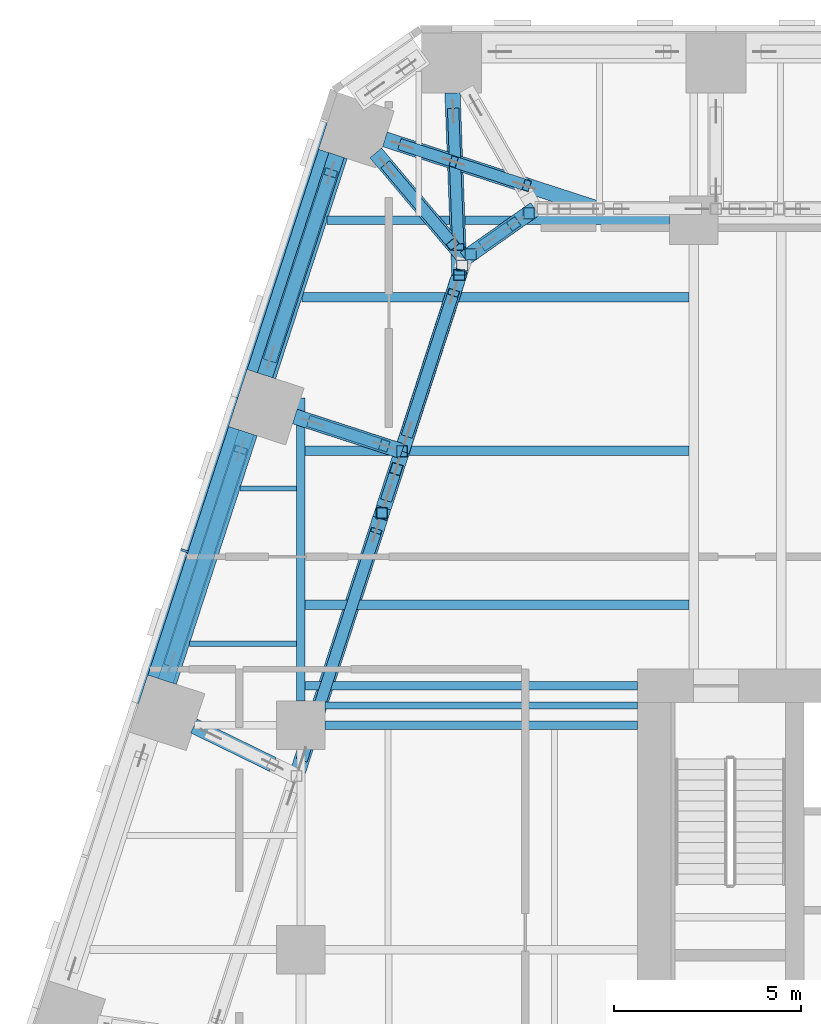
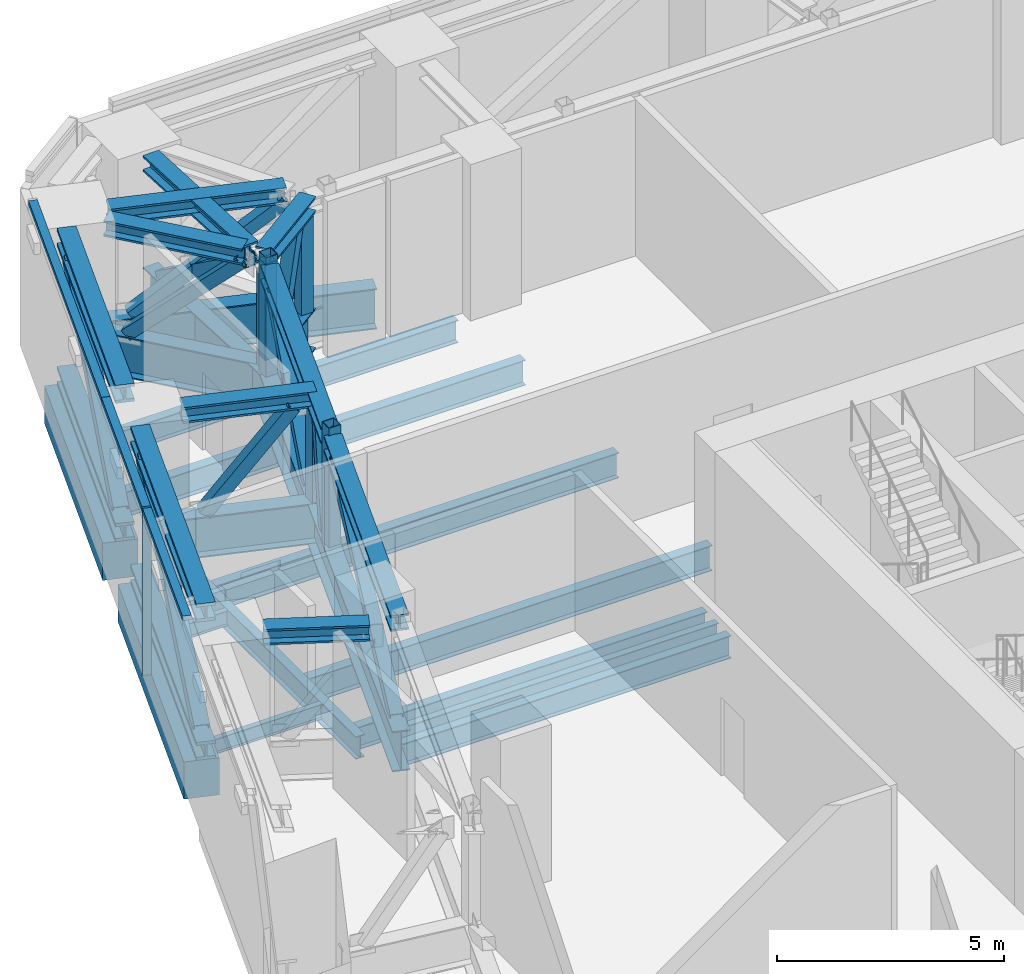
# One storey, part 11 of 36: 40 members, 12 beams, 1 element without a shape of its own.
"""IFC4 building model written with IfcOpenShell, lengths in metres."""

import ifcopenshell
import ifcopenshell.guid

model = None  # the IFC model being written
_history = None  # IfcOwnerHistory: only IFC2X3 demands one
_inside = {}  # id of a spatial element -> (the spatial element, [elements in it])
_under = {}  # id of a project, library or spatial element -> (it, [spatial elements below it])
_declared = {}  # id of a project -> (the project, [libraries it declares])
_typed = {}  # id of a type object -> (the type object, [elements of that type])
_made_of = {}  # id of a material, layer set ... -> (it, [elements and type objects made of it])


def new_model(schema):
    """Start an empty IFC model of exactly this schema.

    Asked for "IFC4X3", IfcOpenShell would pick the latest addendum, in which some entities
    have other attributes; the version numbers below select the first issue.
    IFC2X3 requires an IfcOwnerHistory on every rooted entity: one is made here for all.
    """
    global model, _history
    if schema == "IFC4X3":
        model = ifcopenshell.file(schema_version=(4, 3, 0, 0))
    else:
        model = ifcopenshell.file(schema=schema)
    _inside.clear()
    _under.clear()
    _declared.clear()
    _typed.clear()
    _made_of.clear()
    _history = None
    if model.schema == "IFC2X3":
        org = make("IfcOrganization", Name="unknown")
        user = make(
            "IfcPersonAndOrganization",
            ThePerson=make("IfcPerson", FamilyName="unknown"),
            TheOrganization=org,
        )
        app = make(
            "IfcApplication",
            ApplicationDeveloper=org,
            Version="unknown",
            ApplicationFullName="unknown",
            ApplicationIdentifier="unknown",
        )
        _history = make(
            "IfcOwnerHistory",
            OwningUser=user,
            OwningApplication=app,
            ChangeAction="ADDED",
            CreationDate=0,
        )
    return model


def make(cls, **values):
    """One entity of the class cls with the attributes given. An attribute that is None is left unset."""
    return model.create_entity(
        cls, **{name: value for name, value in values.items() if value is not None}
    )


def rooted(cls, **values):
    """An entity with a GlobalId (a new one), such as an element, a storey or a relation."""
    return make(cls, GlobalId=ifcopenshell.guid.new(), OwnerHistory=_history, **values)


def si_unit(unit_type, name, prefix=None):
    """IfcSIUnit, for example si_unit("LENGTHUNIT", "METRE", prefix="MILLI")."""
    return make("IfcSIUnit", UnitType=unit_type, Prefix=prefix, Name=name)


def assignment(units):
    """IfcUnitAssignment: the units of a project."""
    return None if units is None else make("IfcUnitAssignment", Units=units)


def point(xyz):
    """IfcCartesianPoint."""
    return None if xyz is None else make("IfcCartesianPoint", Coordinates=xyz)


def direction(xyz):
    """IfcDirection."""
    return None if xyz is None else make("IfcDirection", DirectionRatios=xyz)


def frame(location, z_axis=None, x_axis=None):
    """IfcAxis2Placement3D, a coordinate frame: its origin and axes. An axis left out is left unset."""
    return make(
        "IfcAxis2Placement3D",
        Location=point(location),
        Axis=direction(z_axis),
        RefDirection=direction(x_axis),
    )


def frame_2d(location, x_axis=None):
    """IfcAxis2Placement2D, a coordinate frame in the plane: its origin and x axis."""
    return make(
        "IfcAxis2Placement2D", Location=point(location), RefDirection=direction(x_axis)
    )


def origin():
    """The frame at (0, 0, 0) with its axes left unset."""
    return frame((0.0, 0.0, 0.0))


def origin_2d():
    """The frame at (0, 0) in the plane with its x axis left unset."""
    return frame_2d((0.0, 0.0))


def place(relative_to, where):
    """IfcLocalPlacement: puts the frame where relative to a parent placement (None: the world)."""
    return make(
        "IfcLocalPlacement", PlacementRelTo=relative_to, RelativePlacement=where
    )


def context(
    kind, dimensions, precision=None, world=None, true_north=None, identifier=None
):
    """IfcGeometricRepresentationContext, for example the 3D "Model" context."""
    return make(
        "IfcGeometricRepresentationContext",
        ContextIdentifier=identifier,
        ContextType=kind,
        CoordinateSpaceDimension=dimensions,
        Precision=precision,
        WorldCoordinateSystem=world,
        TrueNorth=true_north,
    )


def subcontext(parent, identifier, kind, view, scale=None):
    """IfcGeometricRepresentationSubContext, for example "Body" below "Model"."""
    return make(
        "IfcGeometricRepresentationSubContext",
        ContextIdentifier=identifier,
        ContextType=kind,
        ParentContext=parent,
        TargetScale=scale,
        TargetView=view,
    )


def project(units=None, contexts=None):
    """IfcProject with its units and contexts."""
    return rooted(
        "IfcProject",
        Name="project",
        RepresentationContexts=contexts,
        UnitsInContext=assignment(units),
    )


def spatial(cls, under=None, at=None, **own):
    """A site, building, storey or space (cls), placed at a placement, below another one or the project."""
    s = rooted(cls, ObjectPlacement=at, **own)
    if under is not None:
        _under.setdefault(under.id(), (under, []))[1].append(s)
    return s


def profile(cls, at=None, kind="AREA", **sizes):
    """A parametric profile (cls). Its sizes go by their IFC names, for example OverallWidth=200.0."""
    return make(cls, ProfileType=kind, Position=at, **sizes)


def rectangle(**sizes):
    """IfcRectangleProfileDef."""
    return profile("IfcRectangleProfileDef", **sizes)


def hollow_rectangle(**sizes):
    """IfcRectangleHollowProfileDef."""
    return profile("IfcRectangleHollowProfileDef", **sizes)


def i_section(**sizes):
    """IfcIShapeProfileDef."""
    return profile("IfcIShapeProfileDef", **sizes)


def extrude(swept, where, along, depth):
    """IfcExtrudedAreaSolid: the profile swept, set in the frame where, extruded along a direction by depth."""
    return make(
        "IfcExtrudedAreaSolid",
        SweptArea=swept,
        Position=where,
        ExtrudedDirection=direction(along),
        Depth=depth,
    )


def shape(context_of_items, identifier, shape_type, items):
    """IfcShapeRepresentation: the items that make up one representation, for example the "Body"."""
    return make(
        "IfcShapeRepresentation",
        ContextOfItems=context_of_items,
        RepresentationIdentifier=identifier,
        RepresentationType=shape_type,
        Items=items,
    )


def material(Name=None, Category=None):
    """IfcMaterial."""
    return make("IfcMaterial", Name=Name, Category=Category)


def layer(
    of_material, thickness, ventilated=None, Name=None, Category=None, Priority=None
):
    """IfcMaterialLayer: one layer of a wall or slab, of a material (None: an air gap)."""
    return make(
        "IfcMaterialLayer",
        Material=of_material,
        LayerThickness=thickness,
        IsVentilated=ventilated,
        Name=Name,
        Category=Category,
        Priority=Priority,
    )


def layer_set(layers, Name=None):
    """IfcMaterialLayerSet."""
    return make("IfcMaterialLayerSet", MaterialLayers=layers, LayerSetName=Name)


def material_profile(
    of_material, cross_section, Name=None, Category=None, Priority=None
):
    """IfcMaterialProfile: a cross section and its material."""
    return make(
        "IfcMaterialProfile",
        Name=Name,
        Material=of_material,
        Profile=cross_section,
        Priority=Priority,
        Category=Category,
    )


def profile_set(profiles, Name=None, composite=None):
    """IfcMaterialProfileSet."""
    return make(
        "IfcMaterialProfileSet",
        Name=Name,
        MaterialProfiles=profiles,
        CompositeProfile=composite,
    )


def made_of(thing, what):
    """Note that an element or type object is made of a material, layer set ...; save() writes the relation."""
    if what is not None:
        _made_of.setdefault(what.id(), (what, []))[1].append(thing)
    return thing


def type_object(cls, material=None, **own):
    """A type object (cls), such as IfcWallType, which elements share."""
    return made_of(rooted(cls, **own), material)


def element(
    cls,
    number,
    at=None,
    inside=None,
    cuts=None,
    type_object=None,
    material=None,
    context=None,
    identifier="Body",
    shape_type=None,
    held_by="IfcProductDefinitionShape",
    body=None,
    shapes=None,
    **own,
):
    """One element of the class cls, such as IfcWall. Its Tag is "e" and its number.

    at: its placement. inside: the storey or other place that contains it. cuts: it is an
    opening in that element (IfcRelVoidsElement). A single representation is given by context,
    identifier, shape_type and body (its items); several are given by shapes. held_by: the class
    of the entity that holds the representations. save() writes the other relations.
    """
    e = rooted(cls, Tag="e%d" % number, ObjectPlacement=at, **own)
    if body is not None:
        shapes = [shape(context, identifier, shape_type, body)]
    if shapes is not None:
        e.Representation = make(held_by, Representations=shapes)
    if inside is not None:
        _inside.setdefault(inside.id(), (inside, []))[1].append(e)
    if cuts is not None:
        rooted(
            "IfcRelVoidsElement", RelatingBuildingElement=cuts, RelatedOpeningElement=e
        )
    if type_object is not None:
        _typed.setdefault(type_object.id(), (type_object, []))[1].append(e)
    return made_of(e, material)


def aggregate(whole, parts):
    """IfcRelAggregates: a whole, such as a stair, and the parts it consists of."""
    return rooted("IfcRelAggregates", RelatingObject=whole, RelatedObjects=parts)


def save(model, path):
    """Write the relations noted so far, then the file.

    IfcRelAggregates (storeys below a building ...), IfcRelContainedInSpatialStructure (elements
    in a storey), IfcRelDefinesByType, IfcRelAssociatesMaterial and IfcRelDeclares: one each for
    every whole, place, type object, material and project.
    """
    for whole, parts in _under.values():
        aggregate(whole, parts)
    for where, things in _inside.values():
        rooted(
            "IfcRelContainedInSpatialStructure",
            RelatedElements=things,
            RelatingStructure=where,
        )
    for kind, things in _typed.values():
        rooted("IfcRelDefinesByType", RelatedObjects=things, RelatingType=kind)
    for what, things in _made_of.values():
        rooted("IfcRelAssociatesMaterial", RelatedObjects=things, RelatingMaterial=what)
    for by, libraries in _declared.values():
        rooted("IfcRelDeclares", RelatingContext=by, RelatedDefinitions=libraries)
    model.write(path)


model = new_model("IFC4")

# Units and contexts
model_context = context("Model", 3, precision=1e-05, world=origin(), true_north=direction((0.0, 1.0)))
body_context = subcontext(model_context, "Body", "Model", "MODEL_VIEW")
ifc_project = project(units=[si_unit("LENGTHUNIT", "METRE"), si_unit("AREAUNIT", "SQUARE_METRE"), si_unit("VOLUMEUNIT", "CUBIC_METRE"), si_unit("PLANEANGLEUNIT", "RADIAN"), si_unit("MASSUNIT", "GRAM", prefix="KILO")], contexts=[model_context])

# Site, building, storey
site_placement = place(None, origin())
site = spatial("IfcSite", under=ifc_project, at=site_placement, CompositionType="ELEMENT")
building_placement = place(site_placement, origin())
building = spatial("IfcBuilding", under=site, at=building_placement, Name="Isthmus Gate Tower", CompositionType="ELEMENT")
storey_placement = place(building_placement, frame((0.0, 0.0, 117.14990234375)))
storey = spatial("IfcBuildingStorey", under=building, at=storey_placement, Name="L28", CompositionType="ELEMENT", Elevation=117.14990234375)

# Members
ifc_material_1 = material(Name="Structural steel ASTM A913 Gr 65", Category="steel")
ifc_material_profile_1 = material_profile(ifc_material_1, i_section(OverallWidth=0.4287109375, OverallDepth=0.482666015625, WebThickness=0.05078125, FlangeThickness=0.0810546875, at=origin_2d()), Name="W14X455")
ifc_profile_set_1 = profile_set([ifc_material_profile_1], Name="Structural steel ASTM A913 Gr 65")
member_type_1 = type_object("IfcMemberType", Name="BELT TRUSS CHORD W14X455", PredefinedType="CHORD", material=ifc_profile_set_1)
for number, where, z_axis, x_axis, name in (
    (1, (-27.614990234375, 14.683349609375, 0.241455078125), (0.309029993465, 0.951052292537, 0.0), (-0.951052292537, 0.309029993465, 0.0), "str-belt20-L28-01"),
    (2, (-27.614990234375, 14.683349609375, 3.958740234375), (0.309029993465, 0.951052292537, 0.0), (-0.951052292537, 0.309029993465, 0.0), "str-belt20-L28-02"),
):
    element("IfcMember", number, at=place(storey_placement, frame(where, z_axis=z_axis, x_axis=x_axis)), inside=storey, type_object=member_type_1, Name=name, PredefinedType="CHORD", context=body_context, shape_type="SweptSolid", body=[
        extrude(i_section(OverallWidth=0.4287109375, OverallDepth=0.482666015625, WebThickness=0.05078125, FlangeThickness=0.0810546875, at=origin_2d()), origin(), (0.0, 0.0, 1.0), 6.9892578125),
    ])
for number, where, z_axis, x_axis, name in (
    (3, (-24.960693359375, 22.852294921875, 0.241455078125), (0.309012042366, 0.951058125286, 0.0), (-0.951058125286, 0.309012042366, 0.0), "str-belt21-L28-01"),
    (4, (-24.960693359375, 22.852294921875, 3.958740234375), (0.309012042366, 0.951058125286, 0.0), (-0.951058125286, 0.309012042366, 0.0), "str-belt21-L28-02"),
):
    element("IfcMember", number, at=place(storey_placement, frame(where, z_axis=z_axis, x_axis=x_axis)), inside=storey, type_object=member_type_1, Name=name, PredefinedType="CHORD", context=body_context, shape_type="SweptSolid", body=[
        extrude(i_section(OverallWidth=0.4287109375, OverallDepth=0.482666015625, WebThickness=0.05078125, FlangeThickness=0.0810546875, at=origin_2d()), origin(), (0.0, 0.0, 1.0), 6.189453125),
    ])

# Curtain wall, members
ifc_material_2 = material(Name="Aluminium, pale champagne anodised", Category="aluminium")
ifc_layer = layer(ifc_material_2, 0.199951171875)
ifc_layer_set = layer_set([ifc_layer], Name="CW-2 LOUVRE CURTAIN WALL 200 DEEP")
curtain_wall_type = type_object("IfcCurtainWallType", Name="CW-2 LOUVRE CURTAIN WALL 200 DEEP", PredefinedType="NOTDEFINED", material=ifc_layer_set)
curtain_wall_placement = place(storey_placement, origin())
curtain_wall = element("IfcCurtainWall", 5, at=curtain_wall_placement, inside=storey, type_object=curtain_wall_type, Name="CW-2 NW L28", PredefinedType="NOTDEFINED")
ifc_material_3 = material(Name="Aluminium, pale champagne anodised", Category="aluminium")
ifc_material_profile_2 = material_profile(ifc_material_3, rectangle(XDim=0.06005859375, YDim=0.199951171875, at=origin_2d()), Name="60x200")
ifc_profile_set_2 = profile_set([ifc_material_profile_2], Name="Aluminium, pale champagne anodised")
member_type_2 = type_object("IfcMemberType", Name="CW-2 MULLION 60 X 200", PredefinedType="MULLION", material=ifc_profile_set_2)
member_1_placement = place(storey_placement, frame((-27.11474609375, 18.163818359375, 0.0), z_axis=(0.0, 0.0, 1.0), x_axis=(-0.309016994375, -0.951056516295, 0.0)))
member_1 = element("IfcMember", 6, at=member_1_placement, type_object=member_type_2, Name="CW-2 mullion", PredefinedType="MULLION", context=body_context, shape_type="SweptSolid", body=[
    extrude(rectangle(XDim=0.06005859375, YDim=0.199951171875, at=origin_2d()), origin(), (0.0, 0.0, 1.0), 4.5),
])
ifc_material_4 = material(Name="Aluminium, pale champagne anodised", Category="aluminium")
ifc_material_profile_3 = material_profile(ifc_material_4, rectangle(XDim=0.199951171875, YDim=0.1201171875, at=origin_2d()), Name="200x120")
ifc_profile_set_3 = profile_set([ifc_material_profile_3], Name="Aluminium, pale champagne anodised")
member_type_3 = type_object("IfcMemberType", Name="CW-2 TRANSOM 200 X 120", PredefinedType="USERDEFINED", material=ifc_profile_set_3)
member_2_placement = place(storey_placement, frame((-23.389892578125, 29.6279296875, 4.440185546875), z_axis=(-0.309036077329, -0.951050315656, 0.0), x_axis=(0.951050315656, -0.309036077329, 0.0)))
member_2 = element("IfcMember", 7, at=member_2_placement, type_object=member_type_3, Name="CW-2 transom", ObjectType="TRANSOM", PredefinedType="USERDEFINED", context=body_context, shape_type="SweptSolid", body=[
    extrude(rectangle(XDim=0.199951171875, YDim=0.1201171875, at=origin_2d()), origin(), (0.0, 0.0, 1.0), 7.7294921875),
])
member_3_placement = place(storey_placement, frame((-25.778564453125, 22.27685546875, 4.440185546875), z_axis=(-0.309021801109, -0.951054954479, 0.0), x_axis=(0.951054954479, -0.309021801109, 0.0)))
member_3 = element("IfcMember", 8, at=member_3_placement, type_object=member_type_3, Name="CW-2 transom", ObjectType="TRANSOM", PredefinedType="USERDEFINED", context=body_context, shape_type="SweptSolid", body=[
    extrude(rectangle(XDim=0.199951171875, YDim=0.1201171875, at=origin_2d()), origin(), (0.0, 0.0, 1.0), 4.294677734375),
])
member_4_placement = place(storey_placement, frame((-27.1240234375, 18.13525390625, 4.440185546875), z_axis=(-0.309023496777, -0.951054403512, 0.0), x_axis=(0.951054403512, -0.309023496777, 0.0)))
member_4 = element("IfcMember", 9, at=member_4_placement, type_object=member_type_3, Name="CW-2 transom", ObjectType="TRANSOM", PredefinedType="USERDEFINED", context=body_context, shape_type="SweptSolid", body=[
    extrude(rectangle(XDim=0.199951171875, YDim=0.1201171875, at=origin_2d()), origin(), (0.0, 0.0, 1.0), 4.234619140625),
])
aggregate(curtain_wall, [member_2, member_3, member_1, member_4])

# Beams
ifc_material_5 = material(Name="Concrete f'c 70 MPa", Category="concrete")
ifc_material_profile_4 = material_profile(ifc_material_5, rectangle(XDim=0.800048828125, YDim=1.0, at=origin_2d()), Name="RC 800X1000")
ifc_profile_set_4 = profile_set([ifc_material_profile_4], Name="Concrete f'c 70 MPa")
beam_type_1 = type_object("IfcBeamType", Name="RC SPANDREL 800 X 1000", PredefinedType="SPANDREL", material=ifc_profile_set_4)
beam_1_placement = place(storey_placement, frame((-27.7099609375, 14.71435546875, -0.5), z_axis=(0.309029993465, 0.951052292537, 0.0), x_axis=(-0.951052292537, 0.309029993465, 0.0)))
element("IfcBeam", 10, at=beam_1_placement, inside=storey, type_object=beam_type_1, Name="str-spandrel-L28-20", PredefinedType="SPANDREL", context=body_context, shape_type="SweptSolid", body=[
    extrude(rectangle(XDim=0.800048828125, YDim=1.0, at=origin_2d()), origin(), (0.0, 0.0, 1.0), 6.9892578125),
])
beam_2_placement = place(storey_placement, frame((-25.0556640625, 22.88330078125, -0.5), z_axis=(0.309023635203, 0.951054358534, 0.0), x_axis=(-0.951054358534, 0.309023635203, 0.0)))
element("IfcBeam", 11, at=beam_2_placement, inside=storey, type_object=beam_type_1, Name="str-spandrel-L28-21", PredefinedType="SPANDREL", context=body_context, shape_type="SweptSolid", body=[
    extrude(rectangle(XDim=0.800048828125, YDim=1.0, at=origin_2d()), origin(), (0.0, 0.0, 1.0), 6.189208984375),
])
ifc_material_6 = material(Name="Structural steel ASTM A992 Gr 50", Category="steel")
ifc_material_profile_5 = material_profile(ifc_material_6, i_section(OverallWidth=0.1396484375, OverallDepth=0.4033203125, WebThickness=0.00634765625, FlangeThickness=0.010986328125, at=origin_2d()), Name="W16X31")
ifc_profile_set_5 = profile_set([ifc_material_profile_5], Name="Structural steel ASTM A992 Gr 50")
beam_type_2 = type_object("IfcBeamType", Name="STEEL FLOOR BEAM W16X31", PredefinedType="JOIST", material=ifc_profile_set_5)
beam_3_placement = place(storey_placement, frame((-26.976318359375, 15.677978515625, -0.50146484375), z_axis=(1.0, 0.0, 0.0), x_axis=(0.0, 1.0, 0.0)))
element("IfcBeam", 12, at=beam_3_placement, inside=storey, type_object=beam_type_2, Name="str-beam-L28-02-00", PredefinedType="JOIST", context=body_context, shape_type="SweptSolid", body=[
    extrude(i_section(OverallWidth=0.1396484375, OverallDepth=0.4033203125, WebThickness=0.00634765625, FlangeThickness=0.010986328125, at=origin_2d()), origin(), (0.0, 0.0, 1.0), 2.862060546875),
])
beam_4_placement = place(storey_placement, frame((-25.629150390625, 19.82421875, -0.50146484375), z_axis=(1.0, 0.0, 0.0), x_axis=(0.0, 1.0, 0.0)))
element("IfcBeam", 13, at=beam_4_placement, inside=storey, type_object=beam_type_2, Name="str-beam-L28-02-01", PredefinedType="JOIST", context=body_context, shape_type="SweptSolid", body=[
    extrude(i_section(OverallWidth=0.1396484375, OverallDepth=0.4033203125, WebThickness=0.00634765625, FlangeThickness=0.010986328125, at=origin_2d()), origin(), (0.0, 0.0, 1.0), 1.514892578125),
])
ifc_material_7 = material(Name="Structural steel ASTM A992 Gr 50", Category="steel")
ifc_material_profile_6 = material_profile(ifc_material_7, i_section(OverallWidth=0.177734375, OverallDepth=0.60009765625, WebThickness=0.009521484375, FlangeThickness=0.0126953125, at=origin_2d()), Name="W24X55")
ifc_profile_set_6 = profile_set([ifc_material_profile_6], Name="Structural steel ASTM A992 Gr 50")
beam_type_3 = type_object("IfcBeamType", Name="STEEL FLOOR BEAM W24X55", PredefinedType="JOIST", material=ifc_profile_set_6)
beam_5_placement = place(storey_placement, frame((-23.35009765625, 14.02490234375, -0.599853515625), z_axis=(1.0, 0.0, 0.0), x_axis=(0.0, 1.0, 0.0)))
element("IfcBeam", 14, at=beam_5_placement, inside=storey, type_object=beam_type_3, Name="str-beam-L28-05-00", PredefinedType="JOIST", context=body_context, shape_type="SweptSolid", body=[
    extrude(i_section(OverallWidth=0.177734375, OverallDepth=0.60009765625, WebThickness=0.009521484375, FlangeThickness=0.0126953125, at=origin_2d()), origin(), (0.0, 0.0, 1.0), 8.35009765625),
])
ifc_material_8 = material(Name="Structural steel ASTM A992 Gr 50", Category="steel")
ifc_material_profile_7 = material_profile(ifc_material_8, i_section(OverallWidth=0.25390625, OverallDepth=0.679443359375, WebThickness=0.010986328125, FlangeThickness=0.015869140625, at=origin_2d()), Name="W27X84")
ifc_profile_set_7 = profile_set([ifc_material_profile_7], Name="Structural steel ASTM A992 Gr 50")
beam_type_4 = type_object("IfcBeamType", Name="STEEL FLOOR BEAM W27X84", PredefinedType="JOIST", material=ifc_profile_set_7)
for number, where, z_axis, x_axis, name in (
    (15, (-23.8857421875, 16.72021484375, -0.6396484375), (1.0, 0.0, 0.0), (0.0, 1.0, 0.0), "str-beam-L28-07-00"),
    (16, (-23.8857421875, 20.83203125, -0.6396484375), (1.0, 0.0, 0.0), (0.0, 1.0, 0.0), "str-beam-L28-07-01"),
):
    element("IfcBeam", number, at=place(storey_placement, frame(where, z_axis=z_axis, x_axis=x_axis)), inside=storey, type_object=beam_type_4, Name=name, PredefinedType="JOIST", context=body_context, shape_type="SweptSolid", body=[
        extrude(i_section(OverallWidth=0.25390625, OverallDepth=0.679443359375, WebThickness=0.010986328125, FlangeThickness=0.015869140625, at=origin_2d()), origin(), (0.0, 0.0, 1.0), 10.2587890625),
    ])
beam_6_placement = place(storey_placement, frame((-23.965576171875, 24.944091796875, -0.6396484375), z_axis=(1.0, 0.0, 0.0), x_axis=(0.0, 1.0, 0.0)))
element("IfcBeam", 17, at=beam_6_placement, inside=storey, type_object=beam_type_4, Name="str-beam-L28-07-02", PredefinedType="JOIST", context=body_context, shape_type="SweptSolid", body=[
    extrude(i_section(OverallWidth=0.25390625, OverallDepth=0.679443359375, WebThickness=0.010986328125, FlangeThickness=0.015869140625, at=origin_2d()), origin(), (0.0, 0.0, 1.0), 10.338623046875),
])
ifc_material_9 = material(Name="Structural steel ASTM A992 Gr 50", Category="steel")
ifc_material_profile_8 = material_profile(ifc_material_9, i_section(OverallWidth=0.228515625, OverallDepth=0.6064453125, WebThickness=0.010986328125, FlangeThickness=0.017578125, at=origin_2d()), Name="W24X76")
ifc_profile_set_8 = profile_set([ifc_material_profile_8], Name="Structural steel ASTM A992 Gr 50")
beam_type_5 = type_object("IfcBeamType", Name="STEEL GIRDER W24X76", PredefinedType="BEAM", material=ifc_profile_set_8)
beam_7_placement = place(storey_placement, frame((-23.35009765625, 13.5, -0.60302734375), z_axis=(1.0, 0.0, 0.0), x_axis=(0.0, 1.0, 0.0)))
element("IfcBeam", 18, at=beam_7_placement, inside=storey, type_object=beam_type_5, Name="str-girder-L28-14", PredefinedType="BEAM", context=body_context, shape_type="SweptSolid", body=[
    extrude(i_section(OverallWidth=0.228515625, OverallDepth=0.6064453125, WebThickness=0.010986328125, FlangeThickness=0.017578125, at=origin_2d()), origin(), (0.0, 0.0, 1.0), 8.35009765625),
])
beam_8_placement = place(storey_placement, frame((-23.297607421875, 27.0, -0.60302734375), z_axis=(1.0, 0.0, 0.0), x_axis=(0.0, 1.0, 0.0)))
element("IfcBeam", 19, at=beam_8_placement, inside=storey, type_object=beam_type_5, Name="str-girder-L28-17", PredefinedType="BEAM", context=body_context, shape_type="SweptSolid", body=[
    extrude(i_section(OverallWidth=0.228515625, OverallDepth=0.6064453125, WebThickness=0.010986328125, FlangeThickness=0.017578125, at=origin_2d()), origin(), (0.0, 0.0, 1.0), 9.147705078125),
])
beam_9_placement = place(storey_placement, frame((-24.0, 14.14990234375, -0.60302734375), z_axis=(0.0, 1.0, 0.0), x_axis=(-1.0, 0.0, 0.0)))
element("IfcBeam", 20, at=beam_9_placement, inside=storey, type_object=beam_type_5, Name="str-girder-L28-23", PredefinedType="BEAM", context=body_context, shape_type="SweptSolid", body=[
    extrude(i_section(OverallWidth=0.228515625, OverallDepth=0.6064453125, WebThickness=0.010986328125, FlangeThickness=0.017578125, at=origin_2d()), origin(), (0.0, 0.0, 1.0), 8.099365234375),
])
beam_10_placement = place(storey_placement, frame((-15.0, 14.550048828125, -0.60302734375), z_axis=(-1.0, 0.0, 0.0), x_axis=(0.0, -1.0, 0.0)))
element("IfcBeam", 21, at=beam_10_placement, inside=storey, type_object=beam_type_5, Name="str-girder-L28-41", PredefinedType="BEAM", context=body_context, shape_type="SweptSolid", body=[
    extrude(i_section(OverallWidth=0.228515625, OverallDepth=0.6064453125, WebThickness=0.010986328125, FlangeThickness=0.017578125, at=origin_2d()), origin(), (0.0, 0.0, 1.0), 8.8857421875),
])

# Members
ifc_material_10 = material(Name="Structural steel ASTM A913 Gr 65", Category="steel")
ifc_material_profile_9 = material_profile(ifc_material_10, i_section(OverallWidth=0.40966796875, OverallDepth=0.42529296875, WebThickness=0.033203125, FlangeThickness=0.052490234375, at=origin_2d()), Name="W14X283")
ifc_profile_set_9 = profile_set([ifc_material_profile_9], Name="Structural steel ASTM A913 Gr 65")
member_type_4 = type_object("IfcMemberType", Name="TRANSFER TRUSS CHORD W14X283", PredefinedType="CHORD", material=ifc_profile_set_9)
member_5_placement = place(storey_placement, frame((-24.069580078125, 12.28564453125, 3.887451171875), z_axis=(0.309013611643, 0.951057615405, 0.0), x_axis=(-0.951057615405, 0.309013611643, 0.0)))
element("IfcMember", 22, at=member_5_placement, inside=storey, type_object=member_type_4, Name="str-ring09-L28-16", PredefinedType="CHORD", context=body_context, shape_type="SweptSolid", body=[
    extrude(i_section(OverallWidth=0.40966796875, OverallDepth=0.42529296875, WebThickness=0.033203125, FlangeThickness=0.052490234375, at=origin_2d()), origin(), (0.0, 0.0, 1.0), 7.085205078125),
])
member_6_placement = place(storey_placement, frame((-21.7861328125, 19.31396484375, 3.887451171875), z_axis=(0.309039393834, 0.951049237978, 0.0), x_axis=(-0.951049237978, 0.309039393834, 0.0)))
element("IfcMember", 23, at=member_6_placement, inside=storey, type_object=member_type_4, Name="str-ring09-L28-17", PredefinedType="CHORD", context=body_context, shape_type="SweptSolid", body=[
    extrude(i_section(OverallWidth=0.40966796875, OverallDepth=0.42529296875, WebThickness=0.033203125, FlangeThickness=0.052490234375, at=origin_2d()), origin(), (0.0, 0.0, 1.0), 6.38623046875),
])
member_7_placement = place(storey_placement, frame((-19.621337890625, 25.976806640625, 3.887451171875), z_axis=(0.817873032991, 0.575398732972, 0.0), x_axis=(-0.575398732972, 0.817873032991, 0.0)))
element("IfcMember", 24, at=member_7_placement, inside=storey, type_object=member_type_4, Name="str-ring10-L28-04", PredefinedType="CHORD", context=body_context, shape_type="SweptSolid", body=[
    extrude(i_section(OverallWidth=0.40966796875, OverallDepth=0.42529296875, WebThickness=0.033203125, FlangeThickness=0.052490234375, at=origin_2d()), origin(), (0.0, 0.0, 1.0), 2.2998046875),
])
member_8_placement = place(storey_placement, frame((-19.946533203125, 30.400634765625, 3.887451171875), z_axis=(0.037162681104, -0.999309228984, 0.0), x_axis=(0.999309228984, 0.037162681104, 0.0)))
element("IfcMember", 25, at=member_8_placement, inside=storey, type_object=member_type_4, Name="str-link04-L28-02", PredefinedType="CHORD", context=body_context, shape_type="SweptSolid", body=[
    extrude(i_section(OverallWidth=0.40966796875, OverallDepth=0.42529296875, WebThickness=0.033203125, FlangeThickness=0.052490234375, at=origin_2d()), origin(), (0.0, 0.0, 1.0), 4.125732421875),
])
member_9_placement = place(storey_placement, frame((-21.754638671875, 29.15966796875, 3.887451171875), z_axis=(0.95104981369, -0.309037622112, 0.0), x_axis=(0.309037622112, 0.95104981369, 0.0)))
element("IfcMember", 26, at=member_9_placement, inside=storey, type_object=member_type_4, Name="str-link05-L28-02", PredefinedType="CHORD", context=body_context, shape_type="SweptSolid", body=[
    extrude(i_section(OverallWidth=0.40966796875, OverallDepth=0.42529296875, WebThickness=0.033203125, FlangeThickness=0.052490234375, at=origin_2d()), origin(), (0.0, 0.0, 1.0), 3.988037109375),
])
member_10_placement = place(storey_placement, frame((-24.16162109375, 21.75146484375, 3.887451171875), z_axis=(0.951054911768, -0.309021932558, 0.0), x_axis=(0.309021932558, 0.951054911768, 0.0)))
element("IfcMember", 27, at=member_10_placement, inside=storey, type_object=member_type_4, Name="str-link06-L28-02", PredefinedType="CHORD", context=body_context, shape_type="SweptSolid", body=[
    extrude(i_section(OverallWidth=0.40966796875, OverallDepth=0.42529296875, WebThickness=0.033203125, FlangeThickness=0.052490234375, at=origin_2d()), origin(), (0.0, 0.0, 1.0), 3.012451171875),
])
member_11_placement = place(storey_placement, frame((-26.85791015625, 13.478759765625, 3.887451171875), z_axis=(0.898617192652, -0.438733565015, 0.0), x_axis=(0.438733565015, 0.898617192652, 0.0)))
element("IfcMember", 28, at=member_11_placement, inside=storey, type_object=member_type_4, Name="str-link07-L28-02", PredefinedType="CHORD", context=body_context, shape_type="SweptSolid", body=[
    extrude(i_section(OverallWidth=0.40966796875, OverallDepth=0.42529296875, WebThickness=0.033203125, FlangeThickness=0.052490234375, at=origin_2d()), origin(), (0.0, 0.0, 1.0), 2.34326171875),
])
member_12_placement = place(storey_placement, frame((-21.99951171875, 28.79541015625, 3.887451171875), z_axis=(0.644855835133, -0.764304227317, 0.0), x_axis=(0.764304227317, 0.644855835133, 0.0)))
element("IfcMember", 29, at=member_12_placement, inside=storey, type_object=member_type_4, Name="str-link37-L28-02", PredefinedType="CHORD", context=body_context, shape_type="SweptSolid", body=[
    extrude(i_section(OverallWidth=0.40966796875, OverallDepth=0.42529296875, WebThickness=0.033203125, FlangeThickness=0.052490234375, at=origin_2d()), origin(), (0.0, 0.0, 1.0), 3.24560546875),
])
ifc_material_11 = material(Name="Structural steel ASTM A913 Gr 65", Category="steel")
ifc_material_profile_10 = material_profile(ifc_material_11, i_section(OverallWidth=0.39990234375, OverallDepth=1.089111328125, WebThickness=0.017578125, FlangeThickness=0.03173828125, at=origin_2d()), Name="W44X230")
ifc_profile_set_10 = profile_set([ifc_material_profile_10], Name="Structural steel ASTM A913 Gr 65")
member_type_5 = type_object("IfcMemberType", Name="TRANSFER TRUSS CHORD W44X230", PredefinedType="CHORD", material=ifc_profile_set_10)
member_13_placement = place(storey_placement, frame((-24.11669921875, 12.140869140625, 0.544677734375), z_axis=(0.309012279192, 0.951058048338, 0.0), x_axis=(-0.951058048338, 0.309012279192, 0.0)))
element("IfcMember", 30, at=member_13_placement, inside=storey, type_object=member_type_5, Name="str-ring09-L28-11", PredefinedType="CHORD", context=body_context, shape_type="SweptSolid", body=[
    extrude(i_section(OverallWidth=0.39990234375, OverallDepth=1.089111328125, WebThickness=0.017578125, FlangeThickness=0.03173828125, at=origin_2d()), origin(), (0.0, 0.0, 1.0), 9.126953125),
])
member_14_placement = place(storey_placement, frame((-21.29638671875, 20.821044921875, 0.544677734375), z_axis=(0.308990347506, 0.951065173975, 0.0), x_axis=(-0.951065173975, 0.308990347506, 0.0)))
element("IfcMember", 31, at=member_14_placement, inside=storey, type_object=member_type_5, Name="str-ring09-L28-12", PredefinedType="CHORD", context=body_context, shape_type="SweptSolid", body=[
    extrude(i_section(OverallWidth=0.39990234375, OverallDepth=1.089111328125, WebThickness=0.017578125, FlangeThickness=0.03173828125, at=origin_2d()), origin(), (0.0, 0.0, 1.0), 5.421142578125),
])
member_15_placement = place(storey_placement, frame((-19.621337890625, 25.976806640625, 0.544677734375), z_axis=(0.817873032991, 0.575398732972, 0.0), x_axis=(-0.575398732972, 0.817873032991, 0.0)))
element("IfcMember", 32, at=member_15_placement, inside=storey, type_object=member_type_5, Name="str-ring10-L28-03", PredefinedType="CHORD", context=body_context, shape_type="SweptSolid", body=[
    extrude(i_section(OverallWidth=0.39990234375, OverallDepth=1.089111328125, WebThickness=0.017578125, FlangeThickness=0.03173828125, at=origin_2d()), origin(), (0.0, 0.0, 1.0), 2.2998046875),
])
member_16_placement = place(storey_placement, frame((-19.946533203125, 30.400634765625, 0.544677734375), z_axis=(0.037189623042, -0.999308226694, 0.0), x_axis=(0.999308226694, 0.037189623042, 0.0)))
element("IfcMember", 33, at=member_16_placement, inside=storey, type_object=member_type_5, Name="str-link04-L28-01", PredefinedType="CHORD", context=body_context, shape_type="SweptSolid", body=[
    extrude(i_section(OverallWidth=0.39990234375, OverallDepth=1.089111328125, WebThickness=0.017578125, FlangeThickness=0.03173828125, at=origin_2d()), origin(), (0.0, 0.0, 1.0), 4.87109375),
])
member_17_placement = place(storey_placement, frame((-21.754638671875, 29.15966796875, 0.544677734375), z_axis=(0.951057618429, -0.309013602336, 0.0), x_axis=(0.309013602336, 0.951057618429, 0.0)))
element("IfcMember", 34, at=member_17_placement, inside=storey, type_object=member_type_5, Name="str-link05-L28-01", PredefinedType="CHORD", context=body_context, shape_type="SweptSolid", body=[
    extrude(i_section(OverallWidth=0.39990234375, OverallDepth=1.089111328125, WebThickness=0.017578125, FlangeThickness=0.03173828125, at=origin_2d()), origin(), (0.0, 0.0, 1.0), 6.017822265625),
])
member_18_placement = place(storey_placement, frame((-24.16162109375, 21.75146484375, 0.544677734375), z_axis=(0.951054911768, -0.309021932558, 0.0), x_axis=(0.309021932558, 0.951054911768, 0.0)))
element("IfcMember", 35, at=member_18_placement, inside=storey, type_object=member_type_5, Name="str-link06-L28-01", PredefinedType="CHORD", context=body_context, shape_type="SweptSolid", body=[
    extrude(i_section(OverallWidth=0.39990234375, OverallDepth=1.089111328125, WebThickness=0.017578125, FlangeThickness=0.03173828125, at=origin_2d()), origin(), (0.0, 0.0, 1.0), 3.012451171875),
])
member_19_placement = place(storey_placement, frame((-21.99951171875, 28.79541015625, 0.544677734375), z_axis=(0.644867313801, -0.764294542432, 0.0), x_axis=(0.764294542432, 0.644867313801, 0.0)))
element("IfcMember", 36, at=member_19_placement, inside=storey, type_object=member_type_5, Name="str-link37-L28-01", PredefinedType="CHORD", context=body_context, shape_type="SweptSolid", body=[
    extrude(i_section(OverallWidth=0.39990234375, OverallDepth=1.089111328125, WebThickness=0.017578125, FlangeThickness=0.03173828125, at=origin_2d()), origin(), (0.0, 0.0, 1.0), 3.687744140625),
])
ifc_material_12 = material(Name="Structural steel ASTM A500 Gr C", Category="steel")
ifc_material_profile_11 = material_profile(ifc_material_12, hollow_rectangle(XDim=0.3046875, YDim=0.3046875, WallThickness=0.014892578125, at=origin_2d()), Name="HSS12X12X5/8")
ifc_profile_set_11 = profile_set([ifc_material_profile_11], Name="Structural steel ASTM A500 Gr C")
member_type_6 = type_object("IfcMemberType", Name="TRANSFER TRUSS DIAGONAL HSS12X12X5/8", PredefinedType="BRACE", material=ifc_profile_set_11)
member_20_placement = place(storey_placement, frame((-23.962158203125, 12.6162109375, 1.089111328125), z_axis=(0.286447369902, 0.881618988497, 0.37509447263), x_axis=(-0.951059053869, 0.309009184417, 0.0)))
element("IfcMember", 37, at=member_20_placement, inside=storey, type_object=member_type_6, Name="str-ring09-L28-21", PredefinedType="BRACE", context=body_context, shape_type="SweptSolid", body=[
    extrude(hollow_rectangle(XDim=0.3046875, YDim=0.3046875, WallThickness=0.014892578125, at=origin_2d()), origin(), (0.0, 0.0, 1.0), 6.8935546875),
])
member_21_placement = place(storey_placement, frame((-21.6787109375, 19.64453125, 1.089111328125), z_axis=(0.084719372981, 0.260695948369, 0.961696547954), x_axis=(-0.951041371494, 0.309063601395, 0.0)))
element("IfcMember", 38, at=member_21_placement, inside=storey, type_object=member_type_6, Name="str-ring09-L28-22", PredefinedType="BRACE", context=body_context, shape_type="SweptSolid", body=[
    extrude(hollow_rectangle(XDim=0.3046875, YDim=0.3046875, WallThickness=0.014892578125, at=origin_2d()), origin(), (0.0, 0.0, 1.0), 2.688720703125),
])
member_22_placement = place(storey_placement, frame((-21.141845703125, 21.296630859375, 1.089111328125), z_axis=(0.258639333218, 0.795968361549, 0.547302533089), x_axis=(-0.951051763329, 0.309031622117, 0.0)))
element("IfcMember", 39, at=member_22_placement, inside=storey, type_object=member_type_6, Name="str-ring09-L28-23", PredefinedType="BRACE", context=body_context, shape_type="SweptSolid", body=[
    extrude(hollow_rectangle(XDim=0.3046875, YDim=0.3046875, WallThickness=0.014892578125, at=origin_2d()), origin(), (0.0, 0.0, 1.0), 4.724365234375),
])
member_23_placement = place(storey_placement, frame((-19.048828125, 26.37939453125, 1.089111328125), z_axis=(0.268851166658, 0.189221285455, 0.944412174486), x_axis=(-0.575553871874, 0.817763866022, 0.0)))
element("IfcMember", 40, at=member_23_placement, inside=storey, type_object=member_type_6, Name="str-ring10-L28-05", PredefinedType="BRACE", context=body_context, shape_type="SweptSolid", body=[
    extrude(hollow_rectangle(XDim=0.3046875, YDim=0.3046875, WallThickness=0.014892578125, at=origin_2d()), origin(), (0.0, 0.0, 1.0), 2.73779296875),
])
member_24_placement = place(storey_placement, frame((-19.927978515625, 29.90087890625, 1.089111328125), z_axis=(0.030263067614, -0.813594064126, 0.580645197652), x_axis=(0.999308917372, 0.03717105946, 0.0)))
element("IfcMember", 41, at=member_24_placement, inside=storey, type_object=member_type_6, Name="str-link04-L28-03", PredefinedType="BRACE", context=body_context, shape_type="SweptSolid", body=[
    extrude(hollow_rectangle(XDim=0.3046875, YDim=0.3046875, WallThickness=0.014892578125, at=origin_2d()), origin(), (0.0, 0.0, 1.0), 4.453125),
])
member_25_placement = place(storey_placement, frame((-21.279052734375, 29.005126953125, 1.089111328125), z_axis=(0.764003622019, -0.248236175953, 0.595547870863), x_axis=(0.309012885919, 0.951057851204, 0.0)))
element("IfcMember", 42, at=member_25_placement, inside=storey, type_object=member_type_6, Name="str-link05-L28-03", PredefinedType="BRACE", context=body_context, shape_type="SweptSolid", body=[
    extrude(hollow_rectangle(XDim=0.3046875, YDim=0.3046875, WallThickness=0.014892578125, at=origin_2d()), origin(), (0.0, 0.0, 1.0), 1.7841796875),
])
member_26_placement = place(storey_placement, frame((-23.68603515625, 21.59716796875, 1.089111328125), z_axis=(0.584152758261, -0.189849646435, 0.789127788615), x_axis=(0.309086072338, 0.951034068731, 0.0)))
element("IfcMember", 43, at=member_26_placement, inside=storey, type_object=member_type_6, Name="str-link06-L28-03", PredefinedType="BRACE", context=body_context, shape_type="SweptSolid", body=[
    extrude(hollow_rectangle(XDim=0.3046875, YDim=0.3046875, WallThickness=0.014892578125, at=origin_2d()), origin(), (0.0, 0.0, 1.0), 3.276611328125),
])
member_27_placement = place(storey_placement, frame((-21.67724609375, 28.413330078125, 1.089111328125), z_axis=(0.464797493375, -0.550805648043, 0.693236199456), x_axis=(0.764253713757, 0.6449157007, 0.0)))
element("IfcMember", 44, at=member_27_placement, inside=storey, type_object=member_type_6, Name="str-link37-L28-03", PredefinedType="BRACE", context=body_context, shape_type="SweptSolid", body=[
    extrude(hollow_rectangle(XDim=0.3046875, YDim=0.3046875, WallThickness=0.014892578125, at=origin_2d()), origin(), (0.0, 0.0, 1.0), 3.72998046875),
])
member_28_placement = place(storey_placement, frame((-19.916015625, 28.562255859375, 2.151611328125), z_axis=(0.764005056056, -0.248273007346, 0.595530677753), x_axis=(0.309053831258, 0.951044546478, 0.0)))
element("IfcMember", 45, at=member_28_placement, inside=storey, type_object=member_type_6, Name="str-link05-L28-03b", PredefinedType="BRACE", context=body_context, shape_type="SweptSolid", body=[
    extrude(hollow_rectangle(XDim=0.3046875, YDim=0.3046875, WallThickness=0.014892578125, at=origin_2d()), origin(), (0.0, 0.0, 1.0), 2.5576171875),
])
ifc_material_13 = material(Name="Structural steel ASTM A500 Gr C", Category="steel")
ifc_material_profile_12 = material_profile(ifc_material_13, hollow_rectangle(XDim=0.3046875, YDim=0.3046875, WallThickness=0.014892578125, at=origin_2d()), Name="HSS12X12X5/8")
ifc_profile_set_12 = profile_set([ifc_material_profile_12], Name="Structural steel ASTM A500 Gr C")
member_type_7 = type_object("IfcMemberType", Name="TRANSFER TRUSS POST HSS12X12X5/8", PredefinedType="POST", material=ifc_profile_set_12)
member_29_placement = place(storey_placement, frame((-21.833251953125, 19.169189453125, 1.089111328125), z_axis=(0.0, 0.0, 1.0), x_axis=(1.0, 0.0, 0.0)))
element("IfcMember", 46, at=member_29_placement, inside=storey, type_object=member_type_7, Name="str-ring09-L28-05", PredefinedType="POST", context=body_context, shape_type="SweptSolid", body=[
    extrude(hollow_rectangle(XDim=0.3046875, YDim=0.3046875, WallThickness=0.014892578125, at=origin_2d()), origin(), (0.0, 0.0, 1.0), 3.2109375),
])
member_30_placement = place(storey_placement, frame((-21.29638671875, 20.821044921875, 1.089111328125), z_axis=(0.0, 0.0, 1.0), x_axis=(1.0, 0.0, 0.0)))
element("IfcMember", 47, at=member_30_placement, inside=storey, type_object=member_type_7, Name="str-ring09-L28-06", PredefinedType="POST", context=body_context, shape_type="SweptSolid", body=[
    extrude(hollow_rectangle(XDim=0.3046875, YDim=0.3046875, WallThickness=0.014892578125, at=origin_2d()), origin(), (0.0, 0.0, 1.0), 2.585693359375),
])
member_31_placement = place(storey_placement, frame((-19.765625, 25.53271484375, 1.089111328125), z_axis=(0.0, 0.0, 1.0), x_axis=(1.0, 0.0, 0.0)))
element("IfcMember", 48, at=member_31_placement, inside=storey, type_object=member_type_7, Name="str-ring09-L28-07", PredefinedType="POST", context=body_context, shape_type="SweptSolid", body=[
    extrude(hollow_rectangle(XDim=0.3046875, YDim=0.3046875, WallThickness=0.014892578125, at=origin_2d()), origin(), (0.0, 0.0, 1.0), 3.2109375),
])
for number, where, z_axis, x_axis, name in (
    (49, (-19.68310546875, 25.78662109375, 1.089111328125), (0.0, 0.0, 1.0), (1.0, 0.0, 0.0), "str-ring09-L28-08"),
    (50, (-19.457763671875, 26.091796875, 1.089111328125), (0.0, 0.0, 1.0), (1.0, 0.0, 0.0), "str-ring10-L28-01"),
    (51, (-17.90380859375, 27.18505859375, 1.089111328125), (0.0, 0.0, 1.0), (1.0, 0.0, 0.0), "str-ring10-L28-02"),
):
    element("IfcMember", number, at=place(storey_placement, frame(where, z_axis=z_axis, x_axis=x_axis)), inside=storey, type_object=member_type_7, Name=name, PredefinedType="POST", context=body_context, shape_type="SweptSolid", body=[
        extrude(hollow_rectangle(XDim=0.3046875, YDim=0.3046875, WallThickness=0.014892578125, at=origin_2d()), origin(), (0.0, 0.0, 1.0), 2.585693359375),
    ])
ifc_material_14 = material(Name="Structural steel ASTM A500 Gr C", Category="steel")
ifc_material_profile_13 = material_profile(ifc_material_14, hollow_rectangle(XDim=0.355712890625, YDim=0.355712890625, WallThickness=0.017578125, at=origin_2d()), Name="HSS14X14X3/4")
ifc_profile_set_13 = profile_set([ifc_material_profile_13], Name="Structural steel ASTM A500 Gr C")
member_type_8 = type_object("IfcMemberType", Name="TRUSS DIAGONAL HSS14X14X3/4", PredefinedType="BRACE", material=ifc_profile_set_13)
member_32_placement = place(storey_placement, frame((-27.46044921875, 15.158935546875, 0.482666015625), z_axis=(0.271894034934, 0.836806704006, 0.475213819136), x_axis=(-0.951056831988, 0.309016022771, 0.0)))
element("IfcMember", 52, at=member_32_placement, inside=storey, type_object=member_type_8, Name="str-belt20-L28-03", PredefinedType="BRACE", context=body_context, shape_type="SweptSolid", body=[
    extrude(hollow_rectangle(XDim=0.355712890625, YDim=0.355712890625, WallThickness=0.017578125, at=origin_2d()), origin(), (0.0, 0.0, 1.0), 6.80712890625),
])
member_33_placement = place(storey_placement, frame((-24.80615234375, 23.327880859375, 0.482666015625), z_axis=(0.262228028937, 0.807085810743, 0.52900751879), x_axis=(-0.951059995888, 0.309006285085, 0.0)))
element("IfcMember", 53, at=member_33_placement, inside=storey, type_object=member_type_8, Name="str-belt21-L28-03", PredefinedType="BRACE", context=body_context, shape_type="SweptSolid", body=[
    extrude(hollow_rectangle(XDim=0.355712890625, YDim=0.355712890625, WallThickness=0.017578125, at=origin_2d()), origin(), (0.0, 0.0, 1.0), 6.114990234375),
])

save(model, "model.ifc")
